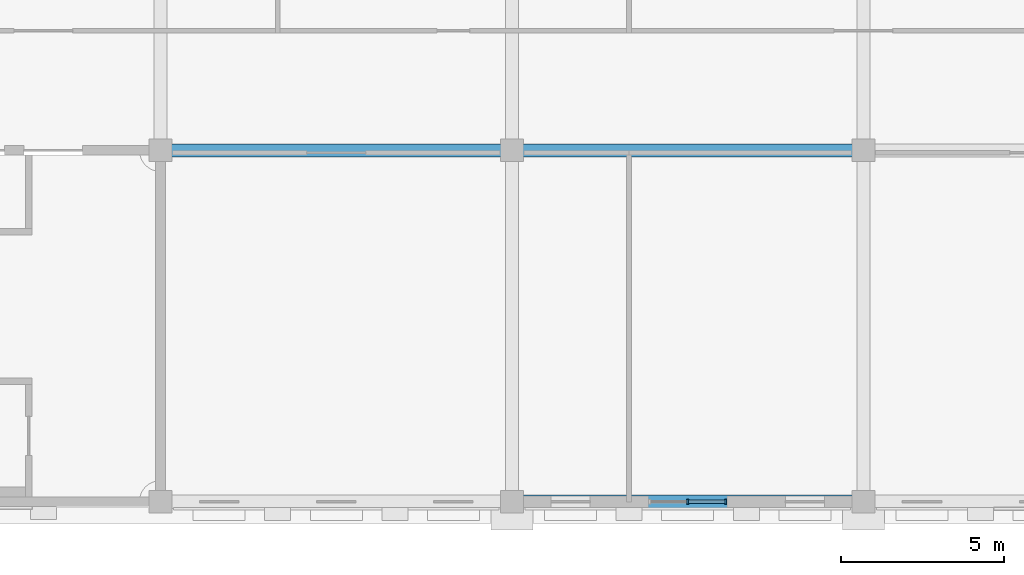
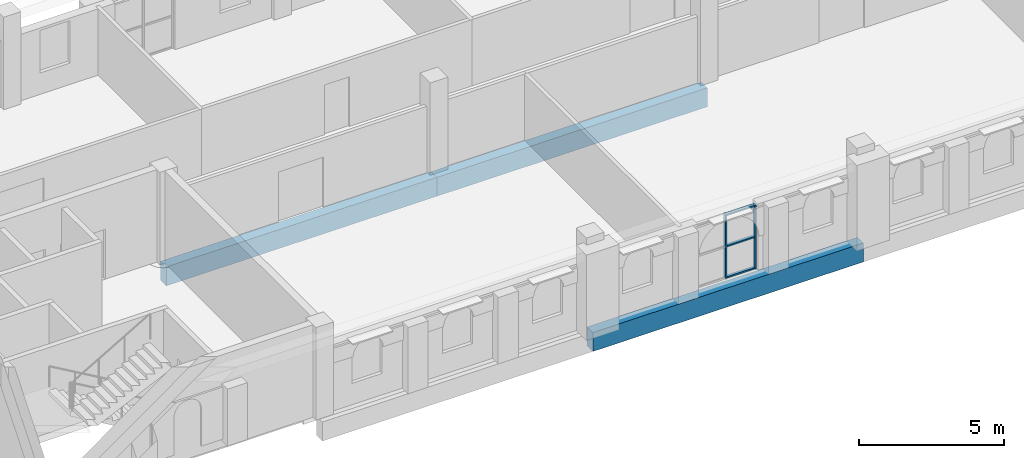
# One storey, part 3 of 17: 5 members, 3 beams, 1 element without a shape of its own.
"""IFC4 building model written with IfcOpenShell, lengths in metres."""

from ifc_helpers import new_model, si_unit, direction, frame, origin, origin_2d, place, context, subcontext, project, spatial, rectangle, extrude, material, layer, layer_set, material_profile, profile_set, type_object, element, aggregate, save


model = new_model("IFC4")

# Units and contexts
model_context = context("Model", 3, precision=1e-05, world=origin(), true_north=direction((0.0, 1.0)))
body_context = subcontext(model_context, "Body", "Model", "MODEL_VIEW")
ifc_project = project(units=[si_unit("LENGTHUNIT", "METRE"), si_unit("AREAUNIT", "SQUARE_METRE"), si_unit("VOLUMEUNIT", "CUBIC_METRE"), si_unit("PLANEANGLEUNIT", "RADIAN"), si_unit("MASSUNIT", "GRAM", prefix="KILO")], contexts=[model_context])

# Site, building, storey
site_placement = place(None, origin())
site = spatial("IfcSite", under=ifc_project, at=site_placement, CompositionType="ELEMENT")
building_placement = place(site_placement, origin())
building = spatial("IfcBuilding", under=site, at=building_placement, Name="Magnolia Steps Interchange", CompositionType="ELEMENT")
storey_placement = place(building_placement, frame((0.0, 0.0, 20.39990234375)))
storey = spatial("IfcBuildingStorey", under=building, at=storey_placement, Name="L05", CompositionType="ELEMENT", Elevation=20.39990234375)

# Curtain wall, members
ifc_material_1 = material(Name="Powder-coated aluminium and glass", Category="aluminium")
ifc_layer = layer(ifc_material_1, 0.199951171875)
ifc_layer_set = layer_set([ifc_layer], Name="Glazed central bay curtain wall")
curtain_wall_type = type_object("IfcCurtainWallType", Name="Glazed central bay curtain wall", PredefinedType="NOTDEFINED", material=ifc_layer_set)
curtain_wall_placement = place(storey_placement, origin())
curtain_wall = element("IfcCurtainWall", 1, at=curtain_wall_placement, inside=storey, type_object=curtain_wall_type, Name="Operations building south wall L05 glazing 2", PredefinedType="NOTDEFINED")
ifc_material_2 = material(Name="White powder-coated aluminium", Category="aluminium")
ifc_material_profile_1 = material_profile(ifc_material_2, rectangle(XDim=0.06005859375, YDim=0.14990234375, at=origin_2d()), Name="Aluminium mullion 60 x 150")
ifc_profile_set_1 = profile_set([ifc_material_profile_1], Name="White powder-coated aluminium")
member_type_1 = type_object("IfcMemberType", Name="Aluminium mullion 60 x 150", PredefinedType="MULLION", material=ifc_profile_set_1)
member_1_placement = place(storey_placement, frame((91.0, 96.39990234375, 0.0), z_axis=(0.0, 0.0, 1.0), x_axis=(1.0, 0.0, 0.0)))
member_1 = element("IfcMember", 2, at=member_1_placement, type_object=member_type_1, Name="CW2 mullion 2", PredefinedType="MULLION", context=body_context, shape_type="SweptSolid", body=[
    extrude(rectangle(XDim=0.06005859375, YDim=0.14990234375, at=origin_2d()), origin(), (0.0, 0.0, 1.0), 2.7001953125),
])
member_2_placement = place(storey_placement, frame((92.169921875, 96.39990234375, 0.0), z_axis=(0.0, 0.0, 1.0), x_axis=(1.0, 0.0, 0.0)))
member_2 = element("IfcMember", 3, at=member_2_placement, type_object=member_type_1, Name="CW2 mullion 3", PredefinedType="MULLION", context=body_context, shape_type="SweptSolid", body=[
    extrude(rectangle(XDim=0.06005859375, YDim=0.14990234375, at=origin_2d()), origin(), (0.0, 0.0, 1.0), 2.7001953125),
])
ifc_material_3 = material(Name="White powder-coated aluminium", Category="aluminium")
ifc_material_profile_2 = material_profile(ifc_material_3, rectangle(XDim=0.06005859375, YDim=0.1201171875, at=origin_2d()), Name="Aluminium transom 60 x 120")
ifc_profile_set_2 = profile_set([ifc_material_profile_2], Name="White powder-coated aluminium")
member_type_2 = type_object("IfcMemberType", Name="Aluminium transom 60 x 120", PredefinedType="USERDEFINED", material=ifc_profile_set_2)
member_3_placement = place(storey_placement, frame((91.030029296875, 96.39990234375, 0.030029296875), z_axis=(1.0, 0.0, 0.0), x_axis=(0.0, 0.0, 1.0)))
member_3 = element("IfcMember", 4, at=member_3_placement, type_object=member_type_2, Name="CW2 transom 2.1", ObjectType="TRANSOM", PredefinedType="USERDEFINED", context=body_context, shape_type="SweptSolid", body=[
    extrude(rectangle(XDim=0.06005859375, YDim=0.1201171875, at=origin_2d()), origin(), (0.0, 0.0, 1.0), 1.10986328125),
])
member_4_placement = place(storey_placement, frame((91.030029296875, 96.39990234375, 1.35009765625), z_axis=(1.0, 0.0, 0.0), x_axis=(0.0, 0.0, 1.0)))
member_4 = element("IfcMember", 5, at=member_4_placement, type_object=member_type_2, Name="CW2 transom 2.2", ObjectType="TRANSOM", PredefinedType="USERDEFINED", context=body_context, shape_type="SweptSolid", body=[
    extrude(rectangle(XDim=0.06005859375, YDim=0.1201171875, at=origin_2d()), origin(), (0.0, 0.0, 1.0), 1.10986328125),
])
member_5_placement = place(storey_placement, frame((91.030029296875, 96.39990234375, 2.670166015625), z_axis=(1.0, 0.0, 0.0), x_axis=(0.0, 0.0, 1.0)))
member_5 = element("IfcMember", 6, at=member_5_placement, type_object=member_type_2, Name="CW2 transom 2.3", ObjectType="TRANSOM", PredefinedType="USERDEFINED", context=body_context, shape_type="SweptSolid", body=[
    extrude(rectangle(XDim=0.06005859375, YDim=0.1201171875, at=origin_2d()), origin(), (0.0, 0.0, 1.0), 1.10986328125),
])
aggregate(curtain_wall, [member_1, member_2, member_3, member_4, member_5])

# Beams
ifc_material_4 = material(Name="Concrete C40", Category="concrete")
ifc_material_profile_3 = material_profile(ifc_material_4, rectangle(XDim=0.39990234375, YDim=0.800048828125, at=origin_2d()), Name="RC400x800")
ifc_profile_set_3 = profile_set([ifc_material_profile_3], Name="Concrete C40")
beam_type = type_object("IfcBeamType", Name="RC beam 400x800", PredefinedType="BEAM", material=ifc_profile_set_3)
beam_1_placement = place(storey_placement, frame((85.60009765625, 96.39990234375, -0.699951171875), z_axis=(1.0, 0.0, 0.0), x_axis=(0.0, 1.0, 0.0)))
element("IfcBeam", 7, at=beam_1_placement, inside=storey, type_object=beam_type, Name="Beam L05 I 8-9", PredefinedType="BEAM", context=body_context, shape_type="SweptSolid", body=[
    extrude(rectangle(XDim=0.39990234375, YDim=0.800048828125, at=origin_2d()), origin(), (0.0, 0.0, 1.0), 10.7998046875),
])
beam_2_placement = place(storey_placement, frame((74.800048828125, 107.199951171875, -0.699951171875), z_axis=(1.0, 0.0, 0.0), x_axis=(0.0, 1.0, 0.0)))
element("IfcBeam", 8, at=beam_2_placement, inside=storey, type_object=beam_type, Name="Beam L05 J 7-8", PredefinedType="BEAM", context=body_context, shape_type="SweptSolid", body=[
    extrude(rectangle(XDim=0.39990234375, YDim=0.800048828125, at=origin_2d()), origin(), (0.0, 0.0, 1.0), 10.800048828125),
])
beam_3_placement = place(storey_placement, frame((85.60009765625, 107.199951171875, -0.699951171875), z_axis=(1.0, 0.0, 0.0), x_axis=(0.0, 1.0, 0.0)))
element("IfcBeam", 9, at=beam_3_placement, inside=storey, type_object=beam_type, Name="Beam L05 J 8-9", PredefinedType="BEAM", context=body_context, shape_type="SweptSolid", body=[
    extrude(rectangle(XDim=0.39990234375, YDim=0.800048828125, at=origin_2d()), origin(), (0.0, 0.0, 1.0), 10.7998046875),
])

save(model, "model.ifc")
